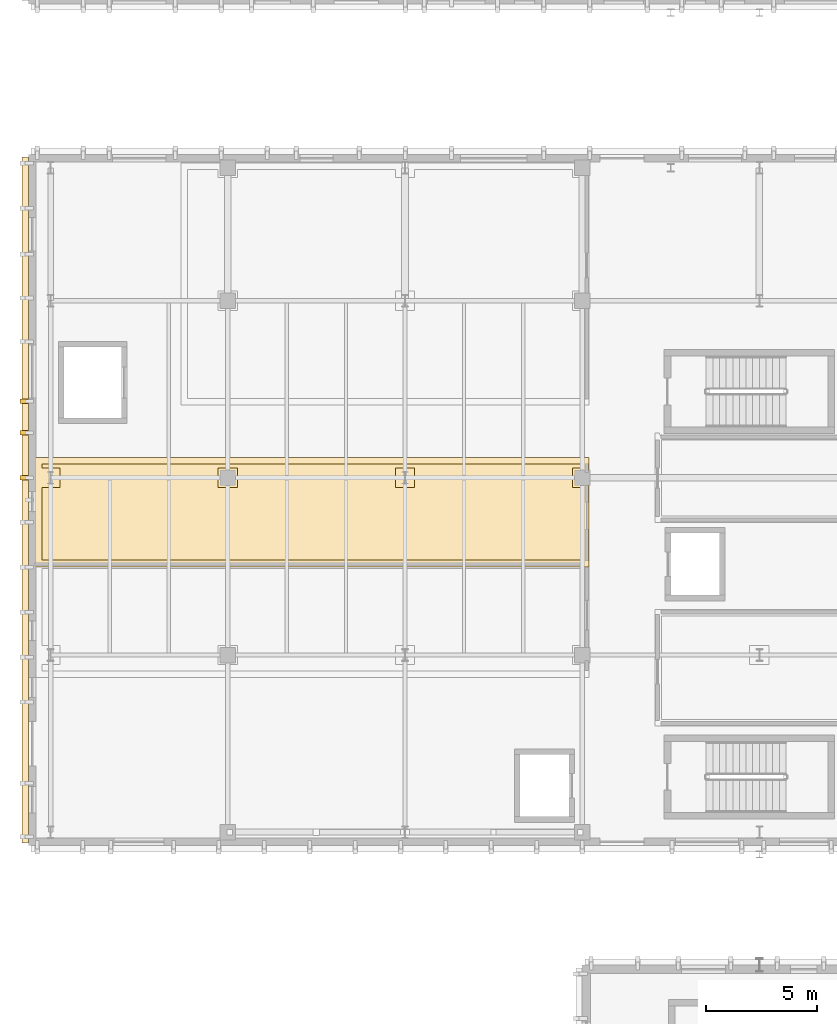
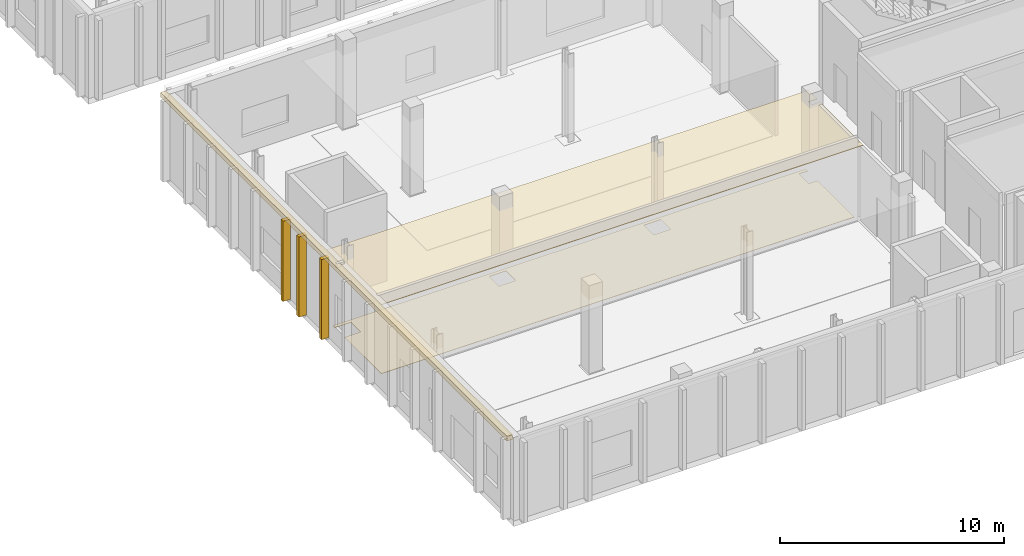
# One storey, part 47 of 60: 6 coverings.
"""IFC4 building model written with IfcOpenShell, lengths in metres."""

from ifc_helpers import new_model, si_unit, direction, frame, origin, origin_2d, place, context, subcontext, project, spatial, polyline, rectangle, outline, extrude, material, layer, layer_set, type_object, element, save


model = new_model("IFC4")

# Units and contexts
model_context = context("Model", 3, precision=1e-05, world=origin(), true_north=direction((0.0, 1.0)))
body_context = subcontext(model_context, "Body", "Model", "MODEL_VIEW")
ifc_project = project(units=[si_unit("LENGTHUNIT", "METRE"), si_unit("AREAUNIT", "SQUARE_METRE"), si_unit("VOLUMEUNIT", "CUBIC_METRE"), si_unit("PLANEANGLEUNIT", "RADIAN"), si_unit("MASSUNIT", "GRAM", prefix="KILO")], contexts=[model_context])

# Site, building, storey
site_placement = place(None, origin())
site = spatial("IfcSite", under=ifc_project, at=site_placement, CompositionType="ELEMENT")
building_placement = place(site_placement, origin())
building = spatial("IfcBuilding", under=site, at=building_placement, Name="Cymarion Research Institute", CompositionType="ELEMENT")
storey_placement = place(building_placement, origin())
storey = spatial("IfcBuildingStorey", under=building, at=storey_placement, Name="L00", CompositionType="ELEMENT", Elevation=0.0)

# Coverings
ifc_material_1 = material(Name="Micro-perforated mineral acoustic ceiling tile", Category="gypsum")
ifc_layer_1 = layer(ifc_material_1, 0.030029296875)
ifc_layer_set_1 = layer_set([ifc_layer_1], Name="Micro-perforated mineral acoustic ceiling tile")
covering_type_1 = type_object("IfcCoveringType", Name="ACOUSTIC MICRO-PERFORATED SUSPENDED CEILING CLG-01", PredefinedType="CEILING", material=ifc_layer_set_1)
covering_1_placement = place(storey_placement, frame((0.0, 0.0, 4.0)))
element("IfcCovering", 1, at=covering_1_placement, inside=storey, type_object=covering_type_1, Name="L00 L00 ISO Class 6 Nanofabrication & Lithography Cleanroom acoustic ceiling", PredefinedType="CEILING", context=body_context, shape_type="SweptSolid", body=[
    extrude(outline(polyline([(30.465087890625, 63.635009765625), (30.465087890625, 63.364990234375), (30.9150390625, 63.364990234375), (30.9150390625, 59.485107421875), (5.905029296875, 59.485107421875), (5.905029296875, 64.4150390625), (30.9150390625, 64.4150390625), (30.9150390625, 63.635009765625), (30.465087890625, 63.635009765625)])), origin(), (0.0, 0.0, 1.0), 0.030029296875),
])
ifc_material_2 = material(Name="Precast concrete C45/55 architectural white", Category="concrete")
ifc_layer_2 = layer(ifc_material_2, 0.260009765625)
ifc_layer_set_2 = layer_set([ifc_layer_2], Name="Precast concrete C45/55 architectural white")
covering_type_2 = type_object("IfcCoveringType", Name="SCULPTURAL WHITE PRECAST CONCRETE SPANDREL BROW BAND RIB2 280MM", PredefinedType="CLADDING", material=ifc_layer_set_2)
covering_2_placement = place(storey_placement, frame((5.4580078125, 62.5, 4.39013671875), z_axis=(0.0, 0.0, 1.0), x_axis=(-1.0, 0.0, 0.0)))
element("IfcCovering", 2, at=covering_2_placement, inside=storey, type_object=covering_type_2, Name="L00 V4 precast spandrel brow band RIB2 #129", PredefinedType="CLADDING", context=body_context, shape_type="SweptSolid", body=[
    extrude(rectangle(XDim=0.280029296875, YDim=30.9599609375, at=origin_2d()), origin(), (0.0, 0.0, 1.0), 0.260009765625),
])
ifc_layer_3 = layer(ifc_material_2, 0.199951171875)
ifc_layer_set_3 = layer_set([ifc_layer_3], Name="Precast concrete C45/55 architectural white")
covering_type_3 = type_object("IfcCoveringType", Name="SCULPTURAL WHITE PRECAST CONCRETE VERTICAL RIB RIB1 380X200", PredefinedType="CLADDING", material=ifc_layer_set_3)
for number, where, z_axis, x_axis, name in (
    (3, (5.407958984375, 66.955078125, 0.010009765625), (0.0, 0.0, 1.0), (-1.0, 0.0, 0.0), "L00 V4 sculptural precast vertical rib RIB1 #135"),
    (4, (5.407958984375, 65.5400390625, 0.010009765625), (0.0, 0.0, 1.0), (-1.0, 0.0, 0.0), "L00 V4 sculptural precast vertical rib RIB1 #136"),
    (5, (5.407958984375, 63.51318359375, 0.010009765625), (0.0, 0.0, 1.0), (-1.0, 0.0, 0.0), "L00 V4 sculptural precast vertical rib RIB1 #137"),
):
    element("IfcCovering", number, at=place(storey_placement, frame(where, z_axis=z_axis, x_axis=x_axis)), inside=storey, type_object=covering_type_3, Name=name, PredefinedType="CLADDING", context=body_context, shape_type="SweptSolid", body=[
        extrude(rectangle(XDim=0.3798828125, YDim=0.199951171875, at=origin_2d()), origin(), (0.0, 0.0, 1.0), 4.375),
    ])
ifc_material_3 = material(Name="Seamless dissipative epoxy resin flooring", Category="resin")
ifc_layer_4 = layer(ifc_material_3, 0.02001953125)
ifc_layer_set_4 = layer_set([ifc_layer_4], Name="Seamless dissipative epoxy resin flooring")
covering_type_4 = type_object("IfcCoveringType", Name="SEAMLESS ESD EPOXY LABORATORY FLOORING FLR-01", PredefinedType="FLOORING", material=ifc_layer_set_4)
covering_3_placement = place(storey_placement, origin())
element("IfcCovering", 6, at=covering_3_placement, inside=storey, type_object=covering_type_4, Name="L00 L00 ISO Class 6 Nanofabrication & Lithography Cleanroom ESD epoxy flooring", PredefinedType="FLOORING", context=body_context, shape_type="SweptSolid", body=[
    extrude(outline(polyline([(6.205078125, 63.06494140625), (7.034912109375, 63.06494140625), (7.034912109375, 63.93505859375), (6.205078125, 63.93505859375), (6.205078125, 64.114990234375), (30.614990234375, 64.114990234375), (30.614990234375, 63.93505859375), (30.1650390625, 63.93505859375), (30.1650390625, 63.06494140625), (30.614990234375, 63.06494140625), (30.614990234375, 59.784912109375), (6.205078125, 59.784912109375), (6.205078125, 63.06494140625)]), holes=[polyline([(23.034912109375, 63.93505859375), (22.1650390625, 63.93505859375), (22.1650390625, 63.06494140625), (23.034912109375, 63.06494140625), (23.034912109375, 63.93505859375)]), polyline([(15.034912109375, 63.93505859375), (14.1650390625, 63.93505859375), (14.1650390625, 63.06494140625), (15.034912109375, 63.06494140625), (15.034912109375, 63.93505859375)])]), origin(), (0.0, 0.0, 1.0), 0.02001953125),
])

save(model, "model.ifc")
